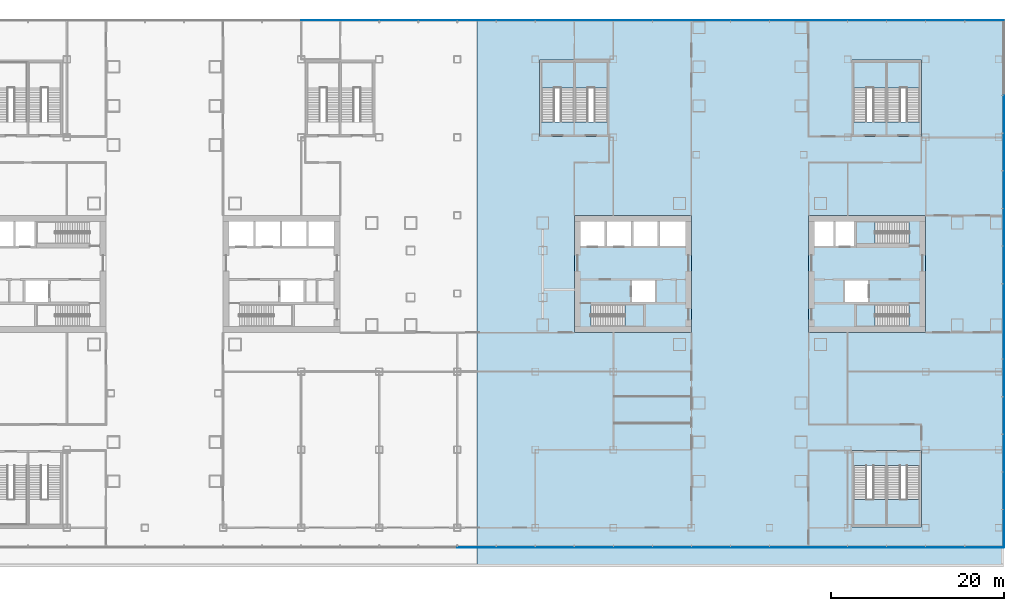
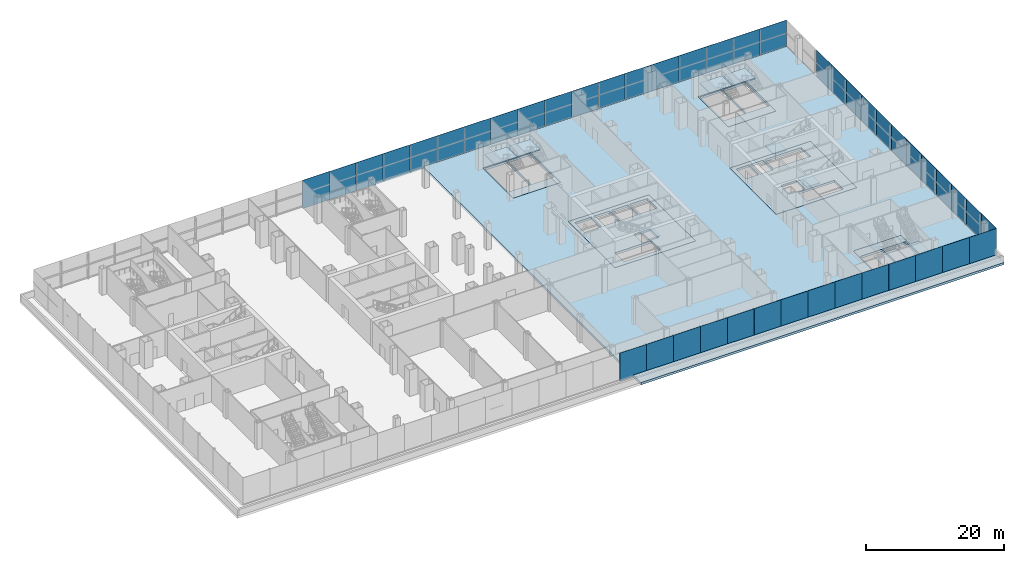
# One storey, part 15 of 30: 44 plates, 16 slabs, 12 elements without a shape of their own.
"""IFC4 building model written with IfcOpenShell, lengths in metres."""

from ifc_helpers import new_model, si_unit, direction, frame, origin, origin_2d, place, context, subcontext, project, spatial, polyline, rectangle, outline, extrude, material, layer, layer_set, type_object, element, aggregate, save


model = new_model("IFC4")

# Units and contexts
model_context = context("Model", 3, precision=1e-05, world=origin(), true_north=direction((0.0, 1.0)))
body_context = subcontext(model_context, "Body", "Model", "MODEL_VIEW")
ifc_project = project(units=[si_unit("LENGTHUNIT", "METRE"), si_unit("AREAUNIT", "SQUARE_METRE"), si_unit("VOLUMEUNIT", "CUBIC_METRE"), si_unit("PLANEANGLEUNIT", "RADIAN"), si_unit("MASSUNIT", "GRAM", prefix="KILO")], contexts=[model_context])

# Site, building, storey
site_placement = place(None, origin())
site = spatial("IfcSite", under=ifc_project, at=site_placement, CompositionType="ELEMENT")
building_placement = place(site_placement, origin())
building = spatial("IfcBuilding", under=site, at=building_placement, Name="Shamsa Quay Exchange Towers", CompositionType="ELEMENT")
storey_placement = place(building_placement, frame((0.0, 0.0, 23.5)))
storey = spatial("IfcBuildingStorey", under=building, at=storey_placement, Name="L04", CompositionType="ELEMENT", Elevation=23.5)

# Slabs
ifc_material_1 = material(Name="Concrete C50/60", Category="concrete")
ifc_layer_1 = layer(ifc_material_1, 0.39990234375)
ifc_layer_set_1 = layer_set([ifc_layer_1], Name="CORE FLOOR 400 C50/60")
slab_type_1 = type_object("IfcSlabType", Name="CORE FLOOR 400 C50/60", PredefinedType="FLOOR", material=ifc_layer_set_1)
slab_1_placement = place(storey_placement, frame((0.0, 0.0, -0.39990234375)))
element("IfcSlab", 1, at=slab_1_placement, inside=storey, type_object=slab_type_1, Name="Core floor T2A", PredefinedType="FLOOR", context=body_context, shape_type="SweptSolid", body=[
    extrude(outline(polyline([(13.5, -6.75), (27.0, -6.75), (27.0, 6.75), (13.5, 6.75), (13.5, -6.75)]), holes=[polyline([(15.400634765625, -6.050048828125), (15.400634765625, -3.5), (21.5, -3.5), (21.5, -6.050048828125), (15.400634765625, -6.050048828125)]), polyline([(14.199951171875, 3.25), (14.199951171875, 6.050048828125), (17.0, 6.050048828125), (17.0, 3.25), (14.199951171875, 3.25)]), polyline([(17.25, 3.25), (17.25, 6.050048828125), (20.050048828125, 6.050048828125), (20.050048828125, 3.25), (17.25, 3.25)]), polyline([(20.300048828125, 3.25), (20.300048828125, 6.050048828125), (23.10009765625, 6.050048828125), (23.10009765625, 3.25), (20.300048828125, 3.25)]), polyline([(23.35009765625, 3.25), (23.35009765625, 6.050048828125), (26.300048828125, 6.050048828125), (26.300048828125, 3.25), (23.35009765625, 3.25)]), polyline([(20.14990234375, -3.25), (20.14990234375, -0.75), (22.800048828125, -0.75), (22.800048828125, -3.25), (20.14990234375, -3.25)])]), origin(), (0.0, 0.0, 1.0), 0.39990234375),
])
slab_2_placement = place(storey_placement, frame((0.0, 0.0, -0.39990234375)))
element("IfcSlab", 2, at=slab_2_placement, inside=storey, type_object=slab_type_1, Name="Core floor T2B", PredefinedType="FLOOR", context=body_context, shape_type="SweptSolid", body=[
    extrude(outline(polyline([(54.0, -6.75), (54.0, 6.75), (40.5, 6.75), (40.5, -6.75), (54.0, -6.75)]), holes=[polyline([(52.099365234375, -3.5), (52.099365234375, -6.050048828125), (46.0, -6.050048828125), (46.0, -3.5), (52.099365234375, -3.5)]), polyline([(52.099365234375, 6.050048828125), (52.099365234375, 3.5), (46.0, 3.5), (46.0, 6.050048828125), (52.099365234375, 6.050048828125)]), polyline([(45.75, 3.25), (43.60009765625, 3.25), (43.60009765625, 6.050048828125), (45.75, 6.050048828125), (45.75, 3.25)]), polyline([(43.35009765625, 3.25), (41.199951171875, 3.25), (41.199951171875, 6.050048828125), (43.35009765625, 6.050048828125), (43.35009765625, 3.25)]), polyline([(47.35009765625, -3.25), (44.699951171875, -3.25), (44.699951171875, -0.75), (47.35009765625, -0.75), (47.35009765625, -3.25)])]), origin(), (0.0, 0.0, 1.0), 0.39990234375),
])
slab_3_placement = place(storey_placement, frame((0.0, 0.0, -0.39990234375)))
element("IfcSlab", 3, at=slab_3_placement, inside=storey, type_object=slab_type_1, Name="Stair floor PS3", PredefinedType="FLOOR", context=body_context, shape_type="SweptSolid", body=[
    extrude(outline(polyline([(9.5, 15.85009765625), (17.5, 15.85009765625), (17.5, 24.64990234375), (9.5, 24.64990234375), (9.5, 15.85009765625)]), holes=[polyline([(13.425048828125, 17.55078125), (9.699951171875, 17.55078125), (9.699951171875, 24.449951171875), (13.425048828125, 24.449951171875), (13.425048828125, 17.55078125)]), polyline([(17.300048828125, 17.55078125), (13.574951171875, 17.55078125), (13.574951171875, 24.449951171875), (17.300048828125, 24.449951171875), (17.300048828125, 17.55078125)])]), origin(), (0.0, 0.0, 1.0), 0.39990234375),
])
slab_4_placement = place(storey_placement, frame((0.0, 0.0, -0.39990234375)))
element("IfcSlab", 4, at=slab_4_placement, inside=storey, type_object=slab_type_1, Name="Stair floor PS4", PredefinedType="FLOOR", context=body_context, shape_type="SweptSolid", body=[
    extrude(outline(polyline([(45.5, 15.85009765625), (53.5, 15.85009765625), (53.5, 24.64990234375), (45.5, 24.64990234375), (45.5, 15.85009765625)]), holes=[polyline([(49.425048828125, 17.55078125), (45.699951171875, 17.55078125), (45.699951171875, 24.449951171875), (49.425048828125, 24.449951171875), (49.425048828125, 17.55078125)]), polyline([(53.300048828125, 17.55078125), (49.574951171875, 17.55078125), (49.574951171875, 24.449951171875), (53.300048828125, 24.449951171875), (53.300048828125, 17.55078125)])]), origin(), (0.0, 0.0, 1.0), 0.39990234375),
])
slab_5_placement = place(storey_placement, frame((0.0, 0.0, -0.39990234375)))
element("IfcSlab", 5, at=slab_5_placement, inside=storey, type_object=slab_type_1, Name="Stair floor PS6", PredefinedType="FLOOR", context=body_context, shape_type="SweptSolid", body=[
    extrude(outline(polyline([(45.5, -29.14990234375), (53.5, -29.14990234375), (53.5, -20.35009765625), (45.5, -20.35009765625), (45.5, -29.14990234375)]), holes=[polyline([(45.699951171875, -22.05078125), (49.425048828125, -22.05078125), (49.425048828125, -28.949951171875), (45.699951171875, -28.949951171875), (45.699951171875, -22.05078125)]), polyline([(49.574951171875, -22.05078125), (53.300048828125, -22.05078125), (53.300048828125, -28.949951171875), (49.574951171875, -28.949951171875), (49.574951171875, -22.05078125)])]), origin(), (0.0, 0.0, 1.0), 0.39990234375),
])

# Stair, slab
ifc_material_2 = material(Name="Concrete C40/50", Category="concrete")
stair_type_1 = type_object("IfcStairType", Name="EXIT STAIR 30 RISERS 167 MM", PredefinedType="HALF_TURN_STAIR", material=ifc_material_2)
stair_1_placement = place(storey_placement, origin())
stair_1 = element("IfcStair", 6, at=stair_1_placement, inside=storey, type_object=stair_type_1, Name="L04 Exit stair ST4", PredefinedType="HALF_TURN_STAIR")
ifc_layer_2 = layer(ifc_material_2, 0.199951171875)
ifc_layer_set_2 = layer_set([ifc_layer_2], Name="CORE STAIR LANDING")
slab_type_2 = type_object("IfcSlabType", Name="CORE STAIR LANDING", PredefinedType="LANDING", material=ifc_layer_set_2)
slab_6_placement = place(storey_placement, frame((0.0, 0.0, 2.300048828125)))
slab_6 = element("IfcSlab", 7, at=slab_6_placement, type_object=slab_type_2, Name="ST4 landing 1", PredefinedType="LANDING", context=body_context, shape_type="SweptSolid", body=[
    extrude(outline(polyline([(19.320068359375, -6.050048828125), (21.5, -6.050048828125), (21.5, -3.5), (19.320068359375, -3.5), (19.320068359375, -6.050048828125)])), origin(), (0.0, 0.0, 1.0), 0.199951171875),
])
aggregate(stair_1, [slab_6])

stair_2_placement = place(storey_placement, origin())
stair_2 = element("IfcStair", 8, at=stair_2_placement, inside=storey, type_object=stair_type_1, Name="L04 Exit stair ST5", PredefinedType="HALF_TURN_STAIR")
slab_7_placement = place(storey_placement, frame((0.0, 0.0, 2.300048828125)))
slab_7 = element("IfcSlab", 9, at=slab_7_placement, type_object=slab_type_2, Name="ST5 landing 1", PredefinedType="LANDING", context=body_context, shape_type="SweptSolid", body=[
    extrude(outline(polyline([(48.179931640625, -3.5), (46.0, -3.5), (46.0, -6.050048828125), (48.179931640625, -6.050048828125), (48.179931640625, -3.5)])), origin(), (0.0, 0.0, 1.0), 0.199951171875),
])
aggregate(stair_2, [slab_7])

stair_3_placement = place(storey_placement, origin())
stair_3 = element("IfcStair", 10, at=stair_3_placement, inside=storey, type_object=stair_type_1, Name="L04 Exit stair ST6", PredefinedType="HALF_TURN_STAIR")
slab_8_placement = place(storey_placement, frame((0.0, 0.0, 2.300048828125)))
slab_8 = element("IfcSlab", 11, at=slab_8_placement, type_object=slab_type_2, Name="ST6 landing 1", PredefinedType="LANDING", context=body_context, shape_type="SweptSolid", body=[
    extrude(outline(polyline([(48.179931640625, 6.050048828125), (46.0, 6.050048828125), (46.0, 3.5), (48.179931640625, 3.5), (48.179931640625, 6.050048828125)])), origin(), (0.0, 0.0, 1.0), 0.199951171875),
])
aggregate(stair_3, [slab_8])

stair_type_2 = type_object("IfcStairType", Name="PODIUM EXIT STAIR 30 RISERS 167 MM 1500 WIDE", PredefinedType="HALF_TURN_STAIR", material=ifc_material_2)
stair_4_placement = place(storey_placement, origin())
stair_4 = element("IfcStair", 12, at=stair_4_placement, inside=storey, type_object=stair_type_2, Name="L04 Exit stair PS3A", PredefinedType="HALF_TURN_STAIR")
slab_9_placement = place(storey_placement, frame((0.0, 0.0, 2.300048828125)))
slab_9 = element("IfcSlab", 13, at=slab_9_placement, type_object=slab_type_2, Name="PS3A landing 1", PredefinedType="LANDING", context=body_context, shape_type="SweptSolid", body=[
    extrude(outline(polyline([(13.425048828125, 21.469970703125), (13.425048828125, 24.449951171875), (9.699951171875, 24.449951171875), (9.699951171875, 21.469970703125), (13.425048828125, 21.469970703125)])), origin(), (0.0, 0.0, 1.0), 0.199951171875),
])
aggregate(stair_4, [slab_9])

stair_5_placement = place(storey_placement, origin())
stair_5 = element("IfcStair", 14, at=stair_5_placement, inside=storey, type_object=stair_type_2, Name="L04 Exit stair PS3B", PredefinedType="HALF_TURN_STAIR")
slab_10_placement = place(storey_placement, frame((0.0, 0.0, 2.300048828125)))
slab_10 = element("IfcSlab", 15, at=slab_10_placement, type_object=slab_type_2, Name="PS3B landing 1", PredefinedType="LANDING", context=body_context, shape_type="SweptSolid", body=[
    extrude(outline(polyline([(17.300048828125, 21.469970703125), (17.300048828125, 24.449951171875), (13.574951171875, 24.449951171875), (13.574951171875, 21.469970703125), (17.300048828125, 21.469970703125)])), origin(), (0.0, 0.0, 1.0), 0.199951171875),
])
aggregate(stair_5, [slab_10])

stair_6_placement = place(storey_placement, origin())
stair_6 = element("IfcStair", 16, at=stair_6_placement, inside=storey, type_object=stair_type_2, Name="L04 Exit stair PS4A", PredefinedType="HALF_TURN_STAIR")
slab_11_placement = place(storey_placement, frame((0.0, 0.0, 2.300048828125)))
slab_11 = element("IfcSlab", 17, at=slab_11_placement, type_object=slab_type_2, Name="PS4A landing 1", PredefinedType="LANDING", context=body_context, shape_type="SweptSolid", body=[
    extrude(outline(polyline([(49.425048828125, 21.469970703125), (49.425048828125, 24.449951171875), (45.699951171875, 24.449951171875), (45.699951171875, 21.469970703125), (49.425048828125, 21.469970703125)])), origin(), (0.0, 0.0, 1.0), 0.199951171875),
])
aggregate(stair_6, [slab_11])

stair_7_placement = place(storey_placement, origin())
stair_7 = element("IfcStair", 18, at=stair_7_placement, inside=storey, type_object=stair_type_2, Name="L04 Exit stair PS4B", PredefinedType="HALF_TURN_STAIR")
slab_12_placement = place(storey_placement, frame((0.0, 0.0, 2.300048828125)))
slab_12 = element("IfcSlab", 19, at=slab_12_placement, type_object=slab_type_2, Name="PS4B landing 1", PredefinedType="LANDING", context=body_context, shape_type="SweptSolid", body=[
    extrude(outline(polyline([(53.300048828125, 21.469970703125), (53.300048828125, 24.449951171875), (49.574951171875, 24.449951171875), (49.574951171875, 21.469970703125), (53.300048828125, 21.469970703125)])), origin(), (0.0, 0.0, 1.0), 0.199951171875),
])
aggregate(stair_7, [slab_12])

stair_8_placement = place(storey_placement, origin())
stair_8 = element("IfcStair", 20, at=stair_8_placement, inside=storey, type_object=stair_type_2, Name="L04 Exit stair PS6A", PredefinedType="HALF_TURN_STAIR")
slab_13_placement = place(storey_placement, frame((0.0, 0.0, 2.300048828125)))
slab_13 = element("IfcSlab", 21, at=slab_13_placement, type_object=slab_type_2, Name="PS6A landing 1", PredefinedType="LANDING", context=body_context, shape_type="SweptSolid", body=[
    extrude(outline(polyline([(45.699951171875, -25.969970703125), (45.699951171875, -28.949951171875), (49.425048828125, -28.949951171875), (49.425048828125, -25.969970703125), (45.699951171875, -25.969970703125)])), origin(), (0.0, 0.0, 1.0), 0.199951171875),
])
aggregate(stair_8, [slab_13])

stair_9_placement = place(storey_placement, origin())
stair_9 = element("IfcStair", 22, at=stair_9_placement, inside=storey, type_object=stair_type_2, Name="L04 Exit stair PS6B", PredefinedType="HALF_TURN_STAIR")
slab_14_placement = place(storey_placement, frame((0.0, 0.0, 2.300048828125)))
slab_14 = element("IfcSlab", 23, at=slab_14_placement, type_object=slab_type_2, Name="PS6B landing 1", PredefinedType="LANDING", context=body_context, shape_type="SweptSolid", body=[
    extrude(outline(polyline([(49.574951171875, -25.969970703125), (49.574951171875, -28.949951171875), (53.300048828125, -28.949951171875), (53.300048828125, -25.969970703125), (49.574951171875, -25.969970703125)])), origin(), (0.0, 0.0, 1.0), 0.199951171875),
])
aggregate(stair_9, [slab_14])

# Curtain wall, plates
ifc_material_3 = material(Name="Aluminium EN AW-6063 T6, black anodised", Category="aluminium")
ifc_layer_3 = layer(ifc_material_3, 0.33203125)
ifc_layer_set_3 = layer_set([ifc_layer_3], Name="CW-3 PODIUM SHOPFRONT GLAZING")
curtain_wall_type = type_object("IfcCurtainWallType", Name="CW-3 PODIUM SHOPFRONT GLAZING", PredefinedType="NOTDEFINED", material=ifc_layer_set_3)
curtain_wall_1_placement = place(storey_placement, origin())
curtain_wall_1 = element("IfcCurtainWall", 24, at=curtain_wall_1_placement, inside=storey, type_object=curtain_wall_type, Name="CW3 PODIUM-L04-F00", PredefinedType="NOTDEFINED")
ifc_material_4 = material(Name="Glass, laminated, impact rated, clear low iron", Category="glass")
ifc_layer_4 = layer(ifc_material_4, 0.031982421875)
ifc_layer_set_4 = layer_set([ifc_layer_4], Name="CW-3 SHOPFRONT GLASS 32")
plate_type = type_object("IfcPlateType", Name="CW-3 SHOPFRONT GLASS 32", PredefinedType="CURTAIN_PANEL", material=ifc_layer_set_4)
plate_1_placement = place(storey_placement, frame((63.01611328125, -29.332763671875, -0.35009765625), z_axis=(0.0, 0.0, 1.0), x_axis=(0.0, 1.0, 0.0)))
plate_1 = element("IfcPlate", 25, at=plate_1_placement, type_object=plate_type, Name="CW3 glass panel", PredefinedType="CURTAIN_PANEL", context=body_context, shape_type="SweptSolid", body=[
    extrude(rectangle(XDim=4.334228515625, YDim=0.031982421875, at=origin_2d()), origin(), (0.0, 0.0, 1.0), 5.0),
])
plate_2_placement = place(storey_placement, frame((63.01611328125, -24.990966796875, -0.35009765625), z_axis=(0.0, 0.0, 1.0), x_axis=(0.0, 1.0, 0.0)))
plate_2 = element("IfcPlate", 26, at=plate_2_placement, type_object=plate_type, Name="CW3 glass panel", PredefinedType="CURTAIN_PANEL", context=body_context, shape_type="SweptSolid", body=[
    extrude(rectangle(XDim=4.329345703125, YDim=0.031982421875, at=origin_2d()), origin(), (0.0, 0.0, 1.0), 5.0),
])
plate_3_placement = place(storey_placement, frame((63.01611328125, -20.65185546875, -0.35009765625), z_axis=(0.0, 0.0, 1.0), x_axis=(0.0, 1.0, 0.0)))
plate_3 = element("IfcPlate", 27, at=plate_3_placement, type_object=plate_type, Name="CW3 glass panel", PredefinedType="CURTAIN_PANEL", context=body_context, shape_type="SweptSolid", body=[
    extrude(rectangle(XDim=4.329345703125, YDim=0.031982421875, at=origin_2d()), origin(), (0.0, 0.0, 1.0), 5.0),
])
plate_4_placement = place(storey_placement, frame((63.01611328125, -16.3125, -0.35009765625), z_axis=(0.0, 0.0, 1.0), x_axis=(0.0, 1.0, 0.0)))
plate_4 = element("IfcPlate", 28, at=plate_4_placement, type_object=plate_type, Name="CW3 glass panel", PredefinedType="CURTAIN_PANEL", context=body_context, shape_type="SweptSolid", body=[
    extrude(rectangle(XDim=4.329345703125, YDim=0.031982421875, at=origin_2d()), origin(), (0.0, 0.0, 1.0), 5.0),
])
plate_5_placement = place(storey_placement, frame((63.01611328125, -11.97314453125, -0.35009765625), z_axis=(0.0, 0.0, 1.0), x_axis=(0.0, 1.0, 0.0)))
plate_5 = element("IfcPlate", 29, at=plate_5_placement, type_object=plate_type, Name="CW3 glass panel", PredefinedType="CURTAIN_PANEL", context=body_context, shape_type="SweptSolid", body=[
    extrude(rectangle(XDim=4.329345703125, YDim=0.031982421875, at=origin_2d()), origin(), (0.0, 0.0, 1.0), 5.0),
])
plate_6_placement = place(storey_placement, frame((63.01611328125, -7.634033203125, -0.35009765625), z_axis=(0.0, 0.0, 1.0), x_axis=(0.0, 1.0, 0.0)))
plate_6 = element("IfcPlate", 30, at=plate_6_placement, type_object=plate_type, Name="CW3 glass panel", PredefinedType="CURTAIN_PANEL", context=body_context, shape_type="SweptSolid", body=[
    extrude(rectangle(XDim=4.329345703125, YDim=0.031982421875, at=origin_2d()), origin(), (0.0, 0.0, 1.0), 5.0),
])
plate_7_placement = place(storey_placement, frame((63.01611328125, -3.294677734375, -0.35009765625), z_axis=(0.0, 0.0, 1.0), x_axis=(0.0, 1.0, 0.0)))
plate_7 = element("IfcPlate", 31, at=plate_7_placement, type_object=plate_type, Name="CW3 glass panel", PredefinedType="CURTAIN_PANEL", context=body_context, shape_type="SweptSolid", body=[
    extrude(rectangle(XDim=4.329345703125, YDim=0.031982421875, at=origin_2d()), origin(), (0.0, 0.0, 1.0), 5.0),
])
plate_8_placement = place(storey_placement, frame((63.01611328125, 1.044677734375, -0.35009765625), z_axis=(0.0, 0.0, 1.0), x_axis=(0.0, 1.0, 0.0)))
plate_8 = element("IfcPlate", 32, at=plate_8_placement, type_object=plate_type, Name="CW3 glass panel", PredefinedType="CURTAIN_PANEL", context=body_context, shape_type="SweptSolid", body=[
    extrude(rectangle(XDim=4.329345703125, YDim=0.031982421875, at=origin_2d()), origin(), (0.0, 0.0, 1.0), 5.0),
])
plate_9_placement = place(storey_placement, frame((63.01611328125, 5.384033203125, -0.35009765625), z_axis=(0.0, 0.0, 1.0), x_axis=(0.0, 1.0, 0.0)))
plate_9 = element("IfcPlate", 33, at=plate_9_placement, type_object=plate_type, Name="CW3 glass panel", PredefinedType="CURTAIN_PANEL", context=body_context, shape_type="SweptSolid", body=[
    extrude(rectangle(XDim=4.329345703125, YDim=0.031982421875, at=origin_2d()), origin(), (0.0, 0.0, 1.0), 5.0),
])
plate_10_placement = place(storey_placement, frame((63.01611328125, 9.72314453125, -0.35009765625), z_axis=(0.0, 0.0, 1.0), x_axis=(0.0, 1.0, 0.0)))
plate_10 = element("IfcPlate", 34, at=plate_10_placement, type_object=plate_type, Name="CW3 glass panel", PredefinedType="CURTAIN_PANEL", context=body_context, shape_type="SweptSolid", body=[
    extrude(rectangle(XDim=4.329345703125, YDim=0.031982421875, at=origin_2d()), origin(), (0.0, 0.0, 1.0), 5.0),
])
plate_11_placement = place(storey_placement, frame((63.01611328125, 14.0625, -0.35009765625), z_axis=(0.0, 0.0, 1.0), x_axis=(0.0, 1.0, 0.0)))
plate_11 = element("IfcPlate", 35, at=plate_11_placement, type_object=plate_type, Name="CW3 glass panel", PredefinedType="CURTAIN_PANEL", context=body_context, shape_type="SweptSolid", body=[
    extrude(rectangle(XDim=4.329345703125, YDim=0.031982421875, at=origin_2d()), origin(), (0.0, 0.0, 1.0), 5.0),
])
plate_12_placement = place(storey_placement, frame((63.01611328125, 18.40185546875, -0.35009765625), z_axis=(0.0, 0.0, 1.0), x_axis=(0.0, 1.0, 0.0)))
plate_12 = element("IfcPlate", 36, at=plate_12_placement, type_object=plate_type, Name="CW3 glass panel", PredefinedType="CURTAIN_PANEL", context=body_context, shape_type="SweptSolid", body=[
    extrude(rectangle(XDim=4.329345703125, YDim=0.031982421875, at=origin_2d()), origin(), (0.0, 0.0, 1.0), 5.0),
])
aggregate(curtain_wall_1, [plate_1, plate_2, plate_3, plate_4, plate_5, plate_6, plate_7, plate_8, plate_9, plate_10, plate_11, plate_12])

curtain_wall_2_placement = place(storey_placement, origin())
curtain_wall_2 = element("IfcCurtainWall", 37, at=curtain_wall_2_placement, inside=storey, type_object=curtain_wall_type, Name="CW3 PODIUM-L04-F01", PredefinedType="NOTDEFINED")
plate_13_placement = place(storey_placement, frame((60.75244140625, 29.26611328125, -0.35009765625), z_axis=(0.0, 0.0, 1.0), x_axis=(-1.0, 0.0, 0.0)))
plate_13 = element("IfcPlate", 38, at=plate_13_placement, type_object=plate_type, Name="CW3 glass panel", PredefinedType="CURTAIN_PANEL", context=body_context, shape_type="SweptSolid", body=[
    extrude(rectangle(XDim=4.4951171875, YDim=0.031982421875, at=origin_2d()), origin(), (0.0, 0.0, 1.0), 5.0),
])
plate_14_placement = place(storey_placement, frame((56.25, 29.26611328125, -0.35009765625), z_axis=(0.0, 0.0, 1.0), x_axis=(-1.0, 0.0, 0.0)))
plate_14 = element("IfcPlate", 39, at=plate_14_placement, type_object=plate_type, Name="CW3 glass panel", PredefinedType="CURTAIN_PANEL", context=body_context, shape_type="SweptSolid", body=[
    extrude(rectangle(XDim=4.489990234375, YDim=0.031982421875, at=origin_2d()), origin(), (0.0, 0.0, 1.0), 5.0),
])
plate_15_placement = place(storey_placement, frame((51.75, 29.26611328125, -0.35009765625), z_axis=(0.0, 0.0, 1.0), x_axis=(-1.0, 0.0, 0.0)))
plate_15 = element("IfcPlate", 40, at=plate_15_placement, type_object=plate_type, Name="CW3 glass panel", PredefinedType="CURTAIN_PANEL", context=body_context, shape_type="SweptSolid", body=[
    extrude(rectangle(XDim=4.489990234375, YDim=0.031982421875, at=origin_2d()), origin(), (0.0, 0.0, 1.0), 5.0),
])
plate_16_placement = place(storey_placement, frame((47.25, 29.26611328125, -0.35009765625), z_axis=(0.0, 0.0, 1.0), x_axis=(-1.0, 0.0, 0.0)))
plate_16 = element("IfcPlate", 41, at=plate_16_placement, type_object=plate_type, Name="CW3 glass panel", PredefinedType="CURTAIN_PANEL", context=body_context, shape_type="SweptSolid", body=[
    extrude(rectangle(XDim=4.489990234375, YDim=0.031982421875, at=origin_2d()), origin(), (0.0, 0.0, 1.0), 5.0),
])
plate_17_placement = place(storey_placement, frame((42.75, 29.26611328125, -0.35009765625), z_axis=(0.0, 0.0, 1.0), x_axis=(-1.0, 0.0, 0.0)))
plate_17 = element("IfcPlate", 42, at=plate_17_placement, type_object=plate_type, Name="CW3 glass panel", PredefinedType="CURTAIN_PANEL", context=body_context, shape_type="SweptSolid", body=[
    extrude(rectangle(XDim=4.489990234375, YDim=0.031982421875, at=origin_2d()), origin(), (0.0, 0.0, 1.0), 5.0),
])
plate_18_placement = place(storey_placement, frame((38.25, 29.26611328125, -0.35009765625), z_axis=(0.0, 0.0, 1.0), x_axis=(-1.0, 0.0, 0.0)))
plate_18 = element("IfcPlate", 43, at=plate_18_placement, type_object=plate_type, Name="CW3 glass panel", PredefinedType="CURTAIN_PANEL", context=body_context, shape_type="SweptSolid", body=[
    extrude(rectangle(XDim=4.489990234375, YDim=0.031982421875, at=origin_2d()), origin(), (0.0, 0.0, 1.0), 5.0),
])
plate_19_placement = place(storey_placement, frame((33.75, 29.26611328125, -0.35009765625), z_axis=(0.0, 0.0, 1.0), x_axis=(-1.0, 0.0, 0.0)))
plate_19 = element("IfcPlate", 44, at=plate_19_placement, type_object=plate_type, Name="CW3 glass panel", PredefinedType="CURTAIN_PANEL", context=body_context, shape_type="SweptSolid", body=[
    extrude(rectangle(XDim=4.489990234375, YDim=0.031982421875, at=origin_2d()), origin(), (0.0, 0.0, 1.0), 5.0),
])
plate_20_placement = place(storey_placement, frame((29.25, 29.26611328125, -0.35009765625), z_axis=(0.0, 0.0, 1.0), x_axis=(-1.0, 0.0, 0.0)))
plate_20 = element("IfcPlate", 45, at=plate_20_placement, type_object=plate_type, Name="CW3 glass panel", PredefinedType="CURTAIN_PANEL", context=body_context, shape_type="SweptSolid", body=[
    extrude(rectangle(XDim=4.489990234375, YDim=0.031982421875, at=origin_2d()), origin(), (0.0, 0.0, 1.0), 5.0),
])
plate_21_placement = place(storey_placement, frame((24.75, 29.26611328125, -0.35009765625), z_axis=(0.0, 0.0, 1.0), x_axis=(-1.0, 0.0, 0.0)))
plate_21 = element("IfcPlate", 46, at=plate_21_placement, type_object=plate_type, Name="CW3 glass panel", PredefinedType="CURTAIN_PANEL", context=body_context, shape_type="SweptSolid", body=[
    extrude(rectangle(XDim=4.489990234375, YDim=0.031982421875, at=origin_2d()), origin(), (0.0, 0.0, 1.0), 5.0),
])
plate_22_placement = place(storey_placement, frame((20.25, 29.26611328125, -0.35009765625), z_axis=(0.0, 0.0, 1.0), x_axis=(-1.0, 0.0, 0.0)))
plate_22 = element("IfcPlate", 47, at=plate_22_placement, type_object=plate_type, Name="CW3 glass panel", PredefinedType="CURTAIN_PANEL", context=body_context, shape_type="SweptSolid", body=[
    extrude(rectangle(XDim=4.489990234375, YDim=0.031982421875, at=origin_2d()), origin(), (0.0, 0.0, 1.0), 5.0),
])
plate_23_placement = place(storey_placement, frame((15.75, 29.26611328125, -0.35009765625), z_axis=(0.0, 0.0, 1.0), x_axis=(-1.0, 0.0, 0.0)))
plate_23 = element("IfcPlate", 48, at=plate_23_placement, type_object=plate_type, Name="CW3 glass panel", PredefinedType="CURTAIN_PANEL", context=body_context, shape_type="SweptSolid", body=[
    extrude(rectangle(XDim=4.489990234375, YDim=0.031982421875, at=origin_2d()), origin(), (0.0, 0.0, 1.0), 5.0),
])
plate_24_placement = place(storey_placement, frame((11.25, 29.26611328125, -0.35009765625), z_axis=(0.0, 0.0, 1.0), x_axis=(-1.0, 0.0, 0.0)))
plate_24 = element("IfcPlate", 49, at=plate_24_placement, type_object=plate_type, Name="CW3 glass panel", PredefinedType="CURTAIN_PANEL", context=body_context, shape_type="SweptSolid", body=[
    extrude(rectangle(XDim=4.489990234375, YDim=0.031982421875, at=origin_2d()), origin(), (0.0, 0.0, 1.0), 5.0),
])
plate_25_placement = place(storey_placement, frame((6.75, 29.26611328125, -0.35009765625), z_axis=(0.0, 0.0, 1.0), x_axis=(-1.0, 0.0, 0.0)))
plate_25 = element("IfcPlate", 50, at=plate_25_placement, type_object=plate_type, Name="CW3 glass panel", PredefinedType="CURTAIN_PANEL", context=body_context, shape_type="SweptSolid", body=[
    extrude(rectangle(XDim=4.489990234375, YDim=0.031982421875, at=origin_2d()), origin(), (0.0, 0.0, 1.0), 5.0),
])
plate_26_placement = place(storey_placement, frame((2.25, 29.26611328125, -0.35009765625), z_axis=(0.0, 0.0, 1.0), x_axis=(-1.0, 0.0, 0.0)))
plate_26 = element("IfcPlate", 51, at=plate_26_placement, type_object=plate_type, Name="CW3 glass panel", PredefinedType="CURTAIN_PANEL", context=body_context, shape_type="SweptSolid", body=[
    extrude(rectangle(XDim=4.489990234375, YDim=0.031982421875, at=origin_2d()), origin(), (0.0, 0.0, 1.0), 5.0),
])
plate_27_placement = place(storey_placement, frame((-2.25, 29.26611328125, -0.35009765625), z_axis=(0.0, 0.0, 1.0), x_axis=(-1.0, 0.0, 0.0)))
plate_27 = element("IfcPlate", 52, at=plate_27_placement, type_object=plate_type, Name="CW3 glass panel", PredefinedType="CURTAIN_PANEL", context=body_context, shape_type="SweptSolid", body=[
    extrude(rectangle(XDim=4.489990234375, YDim=0.031982421875, at=origin_2d()), origin(), (0.0, 0.0, 1.0), 5.0),
])
plate_28_placement = place(storey_placement, frame((-6.75, 29.26611328125, -0.35009765625), z_axis=(0.0, 0.0, 1.0), x_axis=(-1.0, 0.0, 0.0)))
plate_28 = element("IfcPlate", 53, at=plate_28_placement, type_object=plate_type, Name="CW3 glass panel", PredefinedType="CURTAIN_PANEL", context=body_context, shape_type="SweptSolid", body=[
    extrude(rectangle(XDim=4.489990234375, YDim=0.031982421875, at=origin_2d()), origin(), (0.0, 0.0, 1.0), 5.0),
])
plate_29_placement = place(storey_placement, frame((-11.25, 29.26611328125, -0.35009765625), z_axis=(0.0, 0.0, 1.0), x_axis=(-1.0, 0.0, 0.0)))
plate_29 = element("IfcPlate", 54, at=plate_29_placement, type_object=plate_type, Name="CW3 glass panel", PredefinedType="CURTAIN_PANEL", context=body_context, shape_type="SweptSolid", body=[
    extrude(rectangle(XDim=4.489990234375, YDim=0.031982421875, at=origin_2d()), origin(), (0.0, 0.0, 1.0), 5.0),
])
plate_30_placement = place(storey_placement, frame((-15.75, 29.26611328125, -0.35009765625), z_axis=(0.0, 0.0, 1.0), x_axis=(-1.0, 0.0, 0.0)))
plate_30 = element("IfcPlate", 55, at=plate_30_placement, type_object=plate_type, Name="CW3 glass panel", PredefinedType="CURTAIN_PANEL", context=body_context, shape_type="SweptSolid", body=[
    extrude(rectangle(XDim=4.489990234375, YDim=0.031982421875, at=origin_2d()), origin(), (0.0, 0.0, 1.0), 5.0),
])
aggregate(curtain_wall_2, [plate_13, plate_14, plate_15, plate_16, plate_17, plate_18, plate_19, plate_20, plate_21, plate_22, plate_23, plate_24, plate_25, plate_26, plate_27, plate_28, plate_29, plate_30])

curtain_wall_3_placement = place(storey_placement, origin())
curtain_wall_3 = element("IfcCurtainWall", 56, at=curtain_wall_3_placement, inside=storey, type_object=curtain_wall_type, Name="CW3 PODIUM-L04-F03", PredefinedType="NOTDEFINED")
plate_31_placement = place(storey_placement, frame((2.25, -31.51611328125, -0.35009765625)))
plate_31 = element("IfcPlate", 57, at=plate_31_placement, type_object=plate_type, Name="CW3 glass panel", PredefinedType="CURTAIN_PANEL", context=body_context, shape_type="SweptSolid", body=[
    extrude(rectangle(XDim=4.489990234375, YDim=0.031982421875, at=origin_2d()), origin(), (0.0, 0.0, 1.0), 5.0),
])
plate_32_placement = place(storey_placement, frame((6.75, -31.51611328125, -0.35009765625)))
plate_32 = element("IfcPlate", 58, at=plate_32_placement, type_object=plate_type, Name="CW3 glass panel", PredefinedType="CURTAIN_PANEL", context=body_context, shape_type="SweptSolid", body=[
    extrude(rectangle(XDim=4.489990234375, YDim=0.031982421875, at=origin_2d()), origin(), (0.0, 0.0, 1.0), 5.0),
])
plate_33_placement = place(storey_placement, frame((11.25, -31.51611328125, -0.35009765625)))
plate_33 = element("IfcPlate", 59, at=plate_33_placement, type_object=plate_type, Name="CW3 glass panel", PredefinedType="CURTAIN_PANEL", context=body_context, shape_type="SweptSolid", body=[
    extrude(rectangle(XDim=4.489990234375, YDim=0.031982421875, at=origin_2d()), origin(), (0.0, 0.0, 1.0), 5.0),
])
plate_34_placement = place(storey_placement, frame((15.75, -31.51611328125, -0.35009765625)))
plate_34 = element("IfcPlate", 60, at=plate_34_placement, type_object=plate_type, Name="CW3 glass panel", PredefinedType="CURTAIN_PANEL", context=body_context, shape_type="SweptSolid", body=[
    extrude(rectangle(XDim=4.489990234375, YDim=0.031982421875, at=origin_2d()), origin(), (0.0, 0.0, 1.0), 5.0),
])
plate_35_placement = place(storey_placement, frame((20.25, -31.51611328125, -0.35009765625)))
plate_35 = element("IfcPlate", 61, at=plate_35_placement, type_object=plate_type, Name="CW3 glass panel", PredefinedType="CURTAIN_PANEL", context=body_context, shape_type="SweptSolid", body=[
    extrude(rectangle(XDim=4.489990234375, YDim=0.031982421875, at=origin_2d()), origin(), (0.0, 0.0, 1.0), 5.0),
])
plate_36_placement = place(storey_placement, frame((24.75, -31.51611328125, -0.35009765625)))
plate_36 = element("IfcPlate", 62, at=plate_36_placement, type_object=plate_type, Name="CW3 glass panel", PredefinedType="CURTAIN_PANEL", context=body_context, shape_type="SweptSolid", body=[
    extrude(rectangle(XDim=4.489990234375, YDim=0.031982421875, at=origin_2d()), origin(), (0.0, 0.0, 1.0), 5.0),
])
plate_37_placement = place(storey_placement, frame((29.25, -31.51611328125, -0.35009765625)))
plate_37 = element("IfcPlate", 63, at=plate_37_placement, type_object=plate_type, Name="CW3 glass panel", PredefinedType="CURTAIN_PANEL", context=body_context, shape_type="SweptSolid", body=[
    extrude(rectangle(XDim=4.489990234375, YDim=0.031982421875, at=origin_2d()), origin(), (0.0, 0.0, 1.0), 5.0),
])
plate_38_placement = place(storey_placement, frame((33.75, -31.51611328125, -0.35009765625)))
plate_38 = element("IfcPlate", 64, at=plate_38_placement, type_object=plate_type, Name="CW3 glass panel", PredefinedType="CURTAIN_PANEL", context=body_context, shape_type="SweptSolid", body=[
    extrude(rectangle(XDim=4.489990234375, YDim=0.031982421875, at=origin_2d()), origin(), (0.0, 0.0, 1.0), 5.0),
])
plate_39_placement = place(storey_placement, frame((38.25, -31.51611328125, -0.35009765625)))
plate_39 = element("IfcPlate", 65, at=plate_39_placement, type_object=plate_type, Name="CW3 glass panel", PredefinedType="CURTAIN_PANEL", context=body_context, shape_type="SweptSolid", body=[
    extrude(rectangle(XDim=4.489990234375, YDim=0.031982421875, at=origin_2d()), origin(), (0.0, 0.0, 1.0), 5.0),
])
plate_40_placement = place(storey_placement, frame((42.75, -31.51611328125, -0.35009765625)))
plate_40 = element("IfcPlate", 66, at=plate_40_placement, type_object=plate_type, Name="CW3 glass panel", PredefinedType="CURTAIN_PANEL", context=body_context, shape_type="SweptSolid", body=[
    extrude(rectangle(XDim=4.489990234375, YDim=0.031982421875, at=origin_2d()), origin(), (0.0, 0.0, 1.0), 5.0),
])
plate_41_placement = place(storey_placement, frame((47.25, -31.51611328125, -0.35009765625)))
plate_41 = element("IfcPlate", 67, at=plate_41_placement, type_object=plate_type, Name="CW3 glass panel", PredefinedType="CURTAIN_PANEL", context=body_context, shape_type="SweptSolid", body=[
    extrude(rectangle(XDim=4.489990234375, YDim=0.031982421875, at=origin_2d()), origin(), (0.0, 0.0, 1.0), 5.0),
])
plate_42_placement = place(storey_placement, frame((51.75, -31.51611328125, -0.35009765625)))
plate_42 = element("IfcPlate", 68, at=plate_42_placement, type_object=plate_type, Name="CW3 glass panel", PredefinedType="CURTAIN_PANEL", context=body_context, shape_type="SweptSolid", body=[
    extrude(rectangle(XDim=4.489990234375, YDim=0.031982421875, at=origin_2d()), origin(), (0.0, 0.0, 1.0), 5.0),
])
plate_43_placement = place(storey_placement, frame((56.25, -31.51611328125, -0.35009765625)))
plate_43 = element("IfcPlate", 69, at=plate_43_placement, type_object=plate_type, Name="CW3 glass panel", PredefinedType="CURTAIN_PANEL", context=body_context, shape_type="SweptSolid", body=[
    extrude(rectangle(XDim=4.489990234375, YDim=0.031982421875, at=origin_2d()), origin(), (0.0, 0.0, 1.0), 5.0),
])
plate_44_placement = place(storey_placement, frame((60.75244140625, -31.51611328125, -0.35009765625)))
plate_44 = element("IfcPlate", 70, at=plate_44_placement, type_object=plate_type, Name="CW3 glass panel", PredefinedType="CURTAIN_PANEL", context=body_context, shape_type="SweptSolid", body=[
    extrude(rectangle(XDim=4.4951171875, YDim=0.031982421875, at=origin_2d()), origin(), (0.0, 0.0, 1.0), 5.0),
])
aggregate(curtain_wall_3, [plate_31, plate_32, plate_33, plate_34, plate_35, plate_36, plate_37, plate_38, plate_39, plate_40, plate_41, plate_42, plate_43, plate_44])

# Slabs
ifc_layer_5 = layer(ifc_material_2, 0.39990234375)
ifc_layer_set_5 = layer_set([ifc_layer_5], Name="Flat slab 400")
slab_type_3 = type_object("IfcSlabType", Name="Flat slab 400", PredefinedType="FLOOR", material=ifc_layer_set_5)
slab_15_placement = place(storey_placement, frame((0.0, 0.0, -0.39990234375)))
element("IfcSlab", 71, at=slab_15_placement, inside=storey, type_object=slab_type_3, Name="Flat slab PD L04 2", PredefinedType="FLOOR", context=body_context, shape_type="SweptSolid", body=[
    extrude(outline(polyline([(63.0, 29.25), (2.25, 29.25), (2.25, -31.5), (63.0, -31.5), (63.0, 29.25)]), holes=[polyline([(45.5, -29.14990234375), (53.5, -29.14990234375), (53.5, -20.35009765625), (45.5, -20.35009765625), (45.5, -29.14990234375)]), polyline([(13.5, 6.75), (13.5, -6.75), (27.0, -6.75), (27.0, 6.75), (13.5, 6.75)]), polyline([(40.5, -6.75), (54.0, -6.75), (54.0, 6.75), (40.5, 6.75), (40.5, -6.75)]), polyline([(9.5, 24.64990234375), (9.5, 15.85009765625), (17.5, 15.85009765625), (17.5, 24.64990234375), (9.5, 24.64990234375)]), polyline([(45.5, 24.64990234375), (45.5, 15.85009765625), (53.5, 15.85009765625), (53.5, 24.64990234375), (45.5, 24.64990234375)])]), origin(), (0.0, 0.0, 1.0), 0.39990234375),
])
ifc_layer_6 = layer(ifc_material_2, 0.39990234375)
ifc_layer_set_6 = layer_set([ifc_layer_6], Name="Terrace roof slab 400")
slab_type_4 = type_object("IfcSlabType", Name="Terrace roof slab 400", PredefinedType="ROOF", material=ifc_layer_set_6)
slab_16_placement = place(storey_placement, frame((0.0, 0.0, -0.39990234375)))
element("IfcSlab", 72, at=slab_16_placement, inside=storey, type_object=slab_type_4, Name="Roof slab PD over L03 2", PredefinedType="ROOF", context=body_context, shape_type="SweptSolid", body=[
    extrude(outline(polyline([(2.25, -33.75), (63.0, -33.75), (63.0, -31.5), (2.25, -31.5), (2.25, -33.75)])), origin(), (0.0, 0.0, 1.0), 0.39990234375),
])

save(model, "model.ifc")
